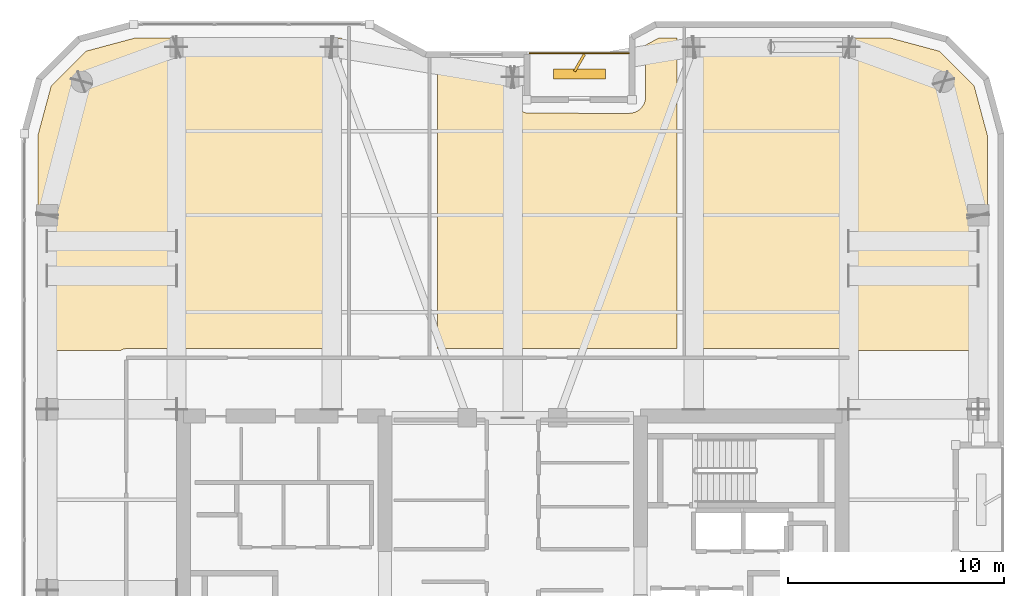
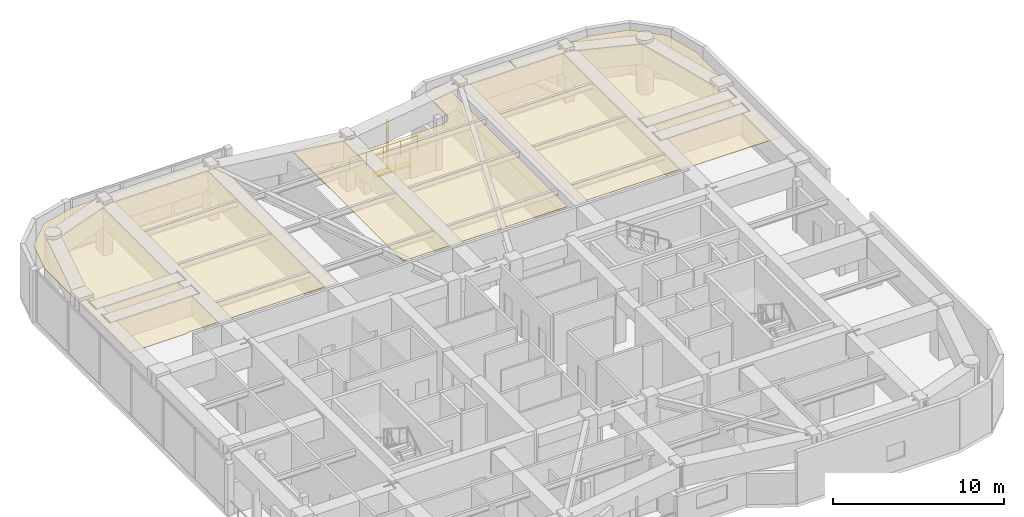
# One storey, part 21 of 21: 3 coverings, 2 shading devices, 1 railing.
"""IFC4 building model written with IfcOpenShell, lengths in metres."""

import ifcopenshell
import ifcopenshell.guid

model = None  # the IFC model being written
_history = None  # IfcOwnerHistory: only IFC2X3 demands one
_inside = {}  # id of a spatial element -> (the spatial element, [elements in it])
_under = {}  # id of a project, library or spatial element -> (it, [spatial elements below it])
_declared = {}  # id of a project -> (the project, [libraries it declares])
_typed = {}  # id of a type object -> (the type object, [elements of that type])
_made_of = {}  # id of a material, layer set ... -> (it, [elements and type objects made of it])


def new_model(schema):
    """Start an empty IFC model of exactly this schema.

    Asked for "IFC4X3", IfcOpenShell would pick the latest addendum, in which some entities
    have other attributes; the version numbers below select the first issue.
    IFC2X3 requires an IfcOwnerHistory on every rooted entity: one is made here for all.
    """
    global model, _history
    if schema == "IFC4X3":
        model = ifcopenshell.file(schema_version=(4, 3, 0, 0))
    else:
        model = ifcopenshell.file(schema=schema)
    _inside.clear()
    _under.clear()
    _declared.clear()
    _typed.clear()
    _made_of.clear()
    _history = None
    if model.schema == "IFC2X3":
        org = make("IfcOrganization", Name="unknown")
        user = make(
            "IfcPersonAndOrganization",
            ThePerson=make("IfcPerson", FamilyName="unknown"),
            TheOrganization=org,
        )
        app = make(
            "IfcApplication",
            ApplicationDeveloper=org,
            Version="unknown",
            ApplicationFullName="unknown",
            ApplicationIdentifier="unknown",
        )
        _history = make(
            "IfcOwnerHistory",
            OwningUser=user,
            OwningApplication=app,
            ChangeAction="ADDED",
            CreationDate=0,
        )
    return model


def make(cls, **values):
    """One entity of the class cls with the attributes given. An attribute that is None is left unset."""
    return model.create_entity(
        cls, **{name: value for name, value in values.items() if value is not None}
    )


def rooted(cls, **values):
    """An entity with a GlobalId (a new one), such as an element, a storey or a relation."""
    return make(cls, GlobalId=ifcopenshell.guid.new(), OwnerHistory=_history, **values)


def si_unit(unit_type, name, prefix=None):
    """IfcSIUnit, for example si_unit("LENGTHUNIT", "METRE", prefix="MILLI")."""
    return make("IfcSIUnit", UnitType=unit_type, Prefix=prefix, Name=name)


def assignment(units):
    """IfcUnitAssignment: the units of a project."""
    return None if units is None else make("IfcUnitAssignment", Units=units)


def point(xyz):
    """IfcCartesianPoint."""
    return None if xyz is None else make("IfcCartesianPoint", Coordinates=xyz)


def direction(xyz):
    """IfcDirection."""
    return None if xyz is None else make("IfcDirection", DirectionRatios=xyz)


def frame(location, z_axis=None, x_axis=None):
    """IfcAxis2Placement3D, a coordinate frame: its origin and axes. An axis left out is left unset."""
    return make(
        "IfcAxis2Placement3D",
        Location=point(location),
        Axis=direction(z_axis),
        RefDirection=direction(x_axis),
    )


def frame_2d(location, x_axis=None):
    """IfcAxis2Placement2D, a coordinate frame in the plane: its origin and x axis."""
    return make(
        "IfcAxis2Placement2D", Location=point(location), RefDirection=direction(x_axis)
    )


def origin():
    """The frame at (0, 0, 0) with its axes left unset."""
    return frame((0.0, 0.0, 0.0))


def origin_2d():
    """The frame at (0, 0) in the plane with its x axis left unset."""
    return frame_2d((0.0, 0.0))


def place(relative_to, where):
    """IfcLocalPlacement: puts the frame where relative to a parent placement (None: the world)."""
    return make(
        "IfcLocalPlacement", PlacementRelTo=relative_to, RelativePlacement=where
    )


def context(
    kind, dimensions, precision=None, world=None, true_north=None, identifier=None
):
    """IfcGeometricRepresentationContext, for example the 3D "Model" context."""
    return make(
        "IfcGeometricRepresentationContext",
        ContextIdentifier=identifier,
        ContextType=kind,
        CoordinateSpaceDimension=dimensions,
        Precision=precision,
        WorldCoordinateSystem=world,
        TrueNorth=true_north,
    )


def subcontext(parent, identifier, kind, view, scale=None):
    """IfcGeometricRepresentationSubContext, for example "Body" below "Model"."""
    return make(
        "IfcGeometricRepresentationSubContext",
        ContextIdentifier=identifier,
        ContextType=kind,
        ParentContext=parent,
        TargetScale=scale,
        TargetView=view,
    )


def project(units=None, contexts=None):
    """IfcProject with its units and contexts."""
    return rooted(
        "IfcProject",
        Name="project",
        RepresentationContexts=contexts,
        UnitsInContext=assignment(units),
    )


def spatial(cls, under=None, at=None, **own):
    """A site, building, storey or space (cls), placed at a placement, below another one or the project."""
    s = rooted(cls, ObjectPlacement=at, **own)
    if under is not None:
        _under.setdefault(under.id(), (under, []))[1].append(s)
    return s


def polyline(points):
    """IfcPolyline through the points."""
    return make("IfcPolyline", Points=[point(p) for p in points])


def profile(cls, at=None, kind="AREA", **sizes):
    """A parametric profile (cls). Its sizes go by their IFC names, for example OverallWidth=200.0."""
    return make(cls, ProfileType=kind, Position=at, **sizes)


def rectangle(**sizes):
    """IfcRectangleProfileDef."""
    return profile("IfcRectangleProfileDef", **sizes)


def outline(outer, holes=None, kind="AREA"):
    """IfcArbitraryClosedProfileDef: a profile drawn as a closed curve; with holes, ...WithVoids."""
    if holes is None:
        return make("IfcArbitraryClosedProfileDef", ProfileType=kind, OuterCurve=outer)
    return make(
        "IfcArbitraryProfileDefWithVoids",
        ProfileType=kind,
        OuterCurve=outer,
        InnerCurves=holes,
    )


def extrude(swept, where, along, depth):
    """IfcExtrudedAreaSolid: the profile swept, set in the frame where, extruded along a direction by depth."""
    return make(
        "IfcExtrudedAreaSolid",
        SweptArea=swept,
        Position=where,
        ExtrudedDirection=direction(along),
        Depth=depth,
    )


def shape(context_of_items, identifier, shape_type, items):
    """IfcShapeRepresentation: the items that make up one representation, for example the "Body"."""
    return make(
        "IfcShapeRepresentation",
        ContextOfItems=context_of_items,
        RepresentationIdentifier=identifier,
        RepresentationType=shape_type,
        Items=items,
    )


def material(Name=None, Category=None):
    """IfcMaterial."""
    return make("IfcMaterial", Name=Name, Category=Category)


def layer(
    of_material, thickness, ventilated=None, Name=None, Category=None, Priority=None
):
    """IfcMaterialLayer: one layer of a wall or slab, of a material (None: an air gap)."""
    return make(
        "IfcMaterialLayer",
        Material=of_material,
        LayerThickness=thickness,
        IsVentilated=ventilated,
        Name=Name,
        Category=Category,
        Priority=Priority,
    )


def layer_set(layers, Name=None):
    """IfcMaterialLayerSet."""
    return make("IfcMaterialLayerSet", MaterialLayers=layers, LayerSetName=Name)


def made_of(thing, what):
    """Note that an element or type object is made of a material, layer set ...; save() writes the relation."""
    if what is not None:
        _made_of.setdefault(what.id(), (what, []))[1].append(thing)
    return thing


def type_object(cls, material=None, **own):
    """A type object (cls), such as IfcWallType, which elements share."""
    return made_of(rooted(cls, **own), material)


def element(
    cls,
    number,
    at=None,
    inside=None,
    cuts=None,
    type_object=None,
    material=None,
    context=None,
    identifier="Body",
    shape_type=None,
    held_by="IfcProductDefinitionShape",
    body=None,
    shapes=None,
    **own,
):
    """One element of the class cls, such as IfcWall. Its Tag is "e" and its number.

    at: its placement. inside: the storey or other place that contains it. cuts: it is an
    opening in that element (IfcRelVoidsElement). A single representation is given by context,
    identifier, shape_type and body (its items); several are given by shapes. held_by: the class
    of the entity that holds the representations. save() writes the other relations.
    """
    e = rooted(cls, Tag="e%d" % number, ObjectPlacement=at, **own)
    if body is not None:
        shapes = [shape(context, identifier, shape_type, body)]
    if shapes is not None:
        e.Representation = make(held_by, Representations=shapes)
    if inside is not None:
        _inside.setdefault(inside.id(), (inside, []))[1].append(e)
    if cuts is not None:
        rooted(
            "IfcRelVoidsElement", RelatingBuildingElement=cuts, RelatedOpeningElement=e
        )
    if type_object is not None:
        _typed.setdefault(type_object.id(), (type_object, []))[1].append(e)
    return made_of(e, material)


def aggregate(whole, parts):
    """IfcRelAggregates: a whole, such as a stair, and the parts it consists of."""
    return rooted("IfcRelAggregates", RelatingObject=whole, RelatedObjects=parts)


def save(model, path):
    """Write the relations noted so far, then the file.

    IfcRelAggregates (storeys below a building ...), IfcRelContainedInSpatialStructure (elements
    in a storey), IfcRelDefinesByType, IfcRelAssociatesMaterial and IfcRelDeclares: one each for
    every whole, place, type object, material and project.
    """
    for whole, parts in _under.values():
        aggregate(whole, parts)
    for where, things in _inside.values():
        rooted(
            "IfcRelContainedInSpatialStructure",
            RelatedElements=things,
            RelatingStructure=where,
        )
    for kind, things in _typed.values():
        rooted("IfcRelDefinesByType", RelatedObjects=things, RelatingType=kind)
    for what, things in _made_of.values():
        rooted("IfcRelAssociatesMaterial", RelatedObjects=things, RelatingMaterial=what)
    for by, libraries in _declared.values():
        rooted("IfcRelDeclares", RelatingContext=by, RelatedDefinitions=libraries)
    model.write(path)


model = new_model("IFC4")

# Units and contexts
model_context = context("Model", 3, precision=1e-05, world=origin(), true_north=direction((0.0, 1.0)))
body_context = subcontext(model_context, "Body", "Model", "MODEL_VIEW")
ifc_project = project(units=[si_unit("LENGTHUNIT", "METRE"), si_unit("AREAUNIT", "SQUARE_METRE"), si_unit("VOLUMEUNIT", "CUBIC_METRE"), si_unit("PLANEANGLEUNIT", "RADIAN"), si_unit("MASSUNIT", "GRAM", prefix="KILO")], contexts=[model_context])

# Site, building, storey
site_placement = place(None, origin())
site = spatial("IfcSite", under=ifc_project, at=site_placement, CompositionType="ELEMENT")
building_placement = place(site_placement, origin())
building = spatial("IfcBuilding", under=site, at=building_placement, Name="Kiyonajd Concourse Tower", CompositionType="ELEMENT")
storey_placement = place(building_placement, frame((0.0, 0.0, 251.10009765625)))
storey = spatial("IfcBuildingStorey", under=building, at=storey_placement, Name="L63", CompositionType="ELEMENT", Elevation=251.10009765625)

# Coverings
ifc_material_1 = material(Name="Natural Oak Acoustic Timber Veneer", Category="wood")
ifc_layer = layer(ifc_material_1, 0.0400390625)
ifc_layer_set = layer_set([ifc_layer], Name="Natural Oak Acoustic Timber Veneer")
covering_type = type_object("IfcCoveringType", Name="CV-CLG-ACST", PredefinedType="CEILING", material=ifc_layer_set)
covering_1_placement = place(storey_placement, frame((0.0, 0.0, 3.5)))
element("IfcCovering", 1, at=covering_1_placement, inside=storey, type_object=covering_type, Name="L63-46 Room Acoustic Ceiling", PredefinedType="CEILING", context=body_context, shape_type="SweptSolid", body=[
    extrude(outline(polyline([(28.197998046875, 61.011962890625), (30.5009765625, 61.6298828125), (40.06005859375, 61.6298828125), (40.06005859375, 47.2099609375), (30.074951171875, 47.2099609375), (29.945068359375, 47.18994140625), (29.882080078125, 47.1640625), (29.826904296875, 47.1298828125), (25.969970703125, 47.1298828125), (25.969970703125, 57.09912109375), (26.587890625, 59.402099609375), (28.197998046875, 61.011962890625)])), origin(), (0.0, 0.0, 1.0), 0.039794921875),
])
covering_2_placement = place(storey_placement, frame((0.0, 0.0, 3.5)))
element("IfcCovering", 2, at=covering_2_placement, inside=storey, type_object=covering_type, Name="L63-48 Room Acoustic Ceiling", PredefinedType="CEILING", context=body_context, shape_type="SweptSolid", body=[
    extrude(outline(polyline([(48.0419921875, 58.76708984375), (48.069091796875, 58.659912109375), (48.10400390625, 58.572021484375), (48.16796875, 58.4609375), (48.26806640625, 58.343017578125), (48.361083984375, 58.26806640625), (48.49609375, 58.19189453125), (48.593017578125, 58.157958984375), (48.7080078125, 58.135986328125), (53.39990234375, 58.1298828125), (53.5419921875, 58.14306640625), (53.678955078125, 58.18310546875), (53.800048828125, 58.242919921875), (53.8720703125, 58.2919921875), (53.931884765625, 58.343017578125), (54.001953125, 58.419921875), (54.06201171875, 58.509033203125), (54.10302734375, 58.5859375), (54.131103515625, 58.659912109375), (54.157958984375, 58.76708984375), (54.16796875, 58.85888671875), (54.169921875, 61.2939453125), (54.7939453125, 61.6298828125), (55.6201171875, 61.6298828125), (55.6201171875, 47.2099609375), (44.510009765625, 47.2099609375), (44.510009765625, 60.22998046875), (48.030029296875, 60.22998046875), (48.031982421875, 58.85888671875), (48.0419921875, 58.76708984375)])), origin(), (0.0, 0.0, 1.0), 0.039794921875),
])
covering_3_placement = place(storey_placement, frame((0.0, 0.0, 3.5)))
element("IfcCovering", 3, at=covering_3_placement, inside=storey, type_object=covering_type, Name="L63-49 Room Acoustic Ceiling", PredefinedType="CEILING", context=body_context, shape_type="SweptSolid", body=[
    extrude(outline(polyline([(63.847900390625, 47.1298828125), (63.79296875, 47.1640625), (63.72998046875, 47.18994140625), (63.60009765625, 47.2099609375), (56.340087890625, 47.2099609375), (56.340087890625, 61.6298828125), (65.4990234375, 61.6298828125), (67.802001953125, 61.011962890625), (69.412109375, 59.402099609375), (70.030029296875, 57.09912109375), (70.030029296875, 47.1298828125), (63.847900390625, 47.1298828125)])), origin(), (0.0, 0.0, 1.0), 0.039794921875),
])

# Railing
ifc_material_2 = material(Name="Thermally Broken Anodised Aluminium", Category="aluminium")
railing_type = type_object("IfcRailingType", Name="RL-GRD-LOG", PredefinedType="GUARDRAIL", material=ifc_material_2)
railing_placement = place(storey_placement, frame((53.39990234375, 60.919921875, 0.0)))
element("IfcRailing", 4, at=railing_placement, inside=storey, type_object=railing_type, Name="L63 Engawa Loggia Perimeter Guard LOG-N", PredefinedType="GUARDRAIL", context=body_context, shape_type="SweptSolid", body=[
    extrude(rectangle(XDim=0.048095703125, YDim=0.048095703125, at=origin_2d()), frame((0.0, 0.0, 1.076171875), z_axis=(-1.0, 0.0, 0.0), x_axis=(0.0, -1.0, 0.0)), (0.0, 0.0, 1.0), 4.599853515625),
    extrude(rectangle(XDim=0.0419921875, YDim=0.0419921875, at=origin_2d()), origin(), (0.0, 0.0, 1.0), 1.052001953125),
    extrude(rectangle(XDim=0.0419921875, YDim=0.0419921875, at=origin_2d()), frame((-1.14990234375, 0.0, 0.0)), (0.0, 0.0, 1.0), 1.052001953125),
    extrude(rectangle(XDim=0.0419921875, YDim=0.0419921875, at=origin_2d()), frame((-2.2998046875, 0.0, 0.0)), (0.0, 0.0, 1.0), 1.052001953125),
    extrude(rectangle(XDim=0.0419921875, YDim=0.0419921875, at=origin_2d()), frame((-3.449951171875, 0.0, 0.0)), (0.0, 0.0, 1.0), 1.052001953125),
    extrude(rectangle(XDim=0.0419921875, YDim=0.0419921875, at=origin_2d()), frame((-4.599853515625, 0.0, 0.0)), (0.0, 0.0, 1.0), 1.052001953125),
])

# Shading devices
ifc_material_3 = material(Name="Precast concrete C50/60", Category="concrete")
shading_device_type_1 = type_object("IfcShadingDeviceType", Name="SH-FIN-900", PredefinedType="USERDEFINED", material=ifc_material_3)
shading_device_1_placement = place(storey_placement, frame((51.10009765625, 60.469970703125, 0.0), z_axis=(0.0, 0.0, 1.0), x_axis=(0.5, 0.866025403784, 0.0)))
element("IfcShadingDevice", 5, at=shading_device_1_placement, inside=storey, type_object=shading_device_type_1, Name="L63 Angled Koshi Solar Fin LOG-N", ObjectType="FIN", PredefinedType="USERDEFINED", context=body_context, shape_type="SweptSolid", body=[
    extrude(rectangle(XDim=0.89990234375, YDim=0.1201171875, at=origin_2d()), origin(), (0.0, 0.0, 1.0), 3.0),
])
shading_device_type_2 = type_object("IfcShadingDeviceType", Name="SH-LVR-600", PredefinedType="JALOUSIE", material=ifc_material_2)
shading_device_2_placement = place(storey_placement, frame((51.10009765625, 59.949951171875, -0.000244140625), z_axis=(0.0, 0.0, 1.0), x_axis=(1.0, 0.0, 0.0)))
element("IfcShadingDevice", 6, at=shading_device_2_placement, inside=storey, type_object=shading_device_type_2, Name="L63 Loggia Threshold Louver LOG-N", PredefinedType="JALOUSIE", context=body_context, shape_type="SweptSolid", body=[
    extrude(rectangle(XDim=2.39990234375, YDim=0.449951171875, at=origin_2d()), origin(), (0.0, 0.0, 1.0), 0.10009765625),
])

save(model, "model.ifc")
